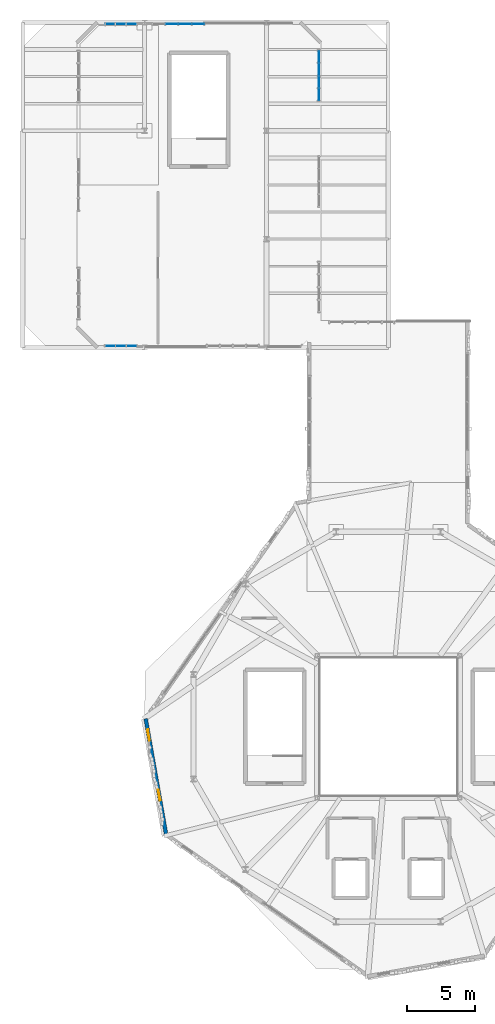
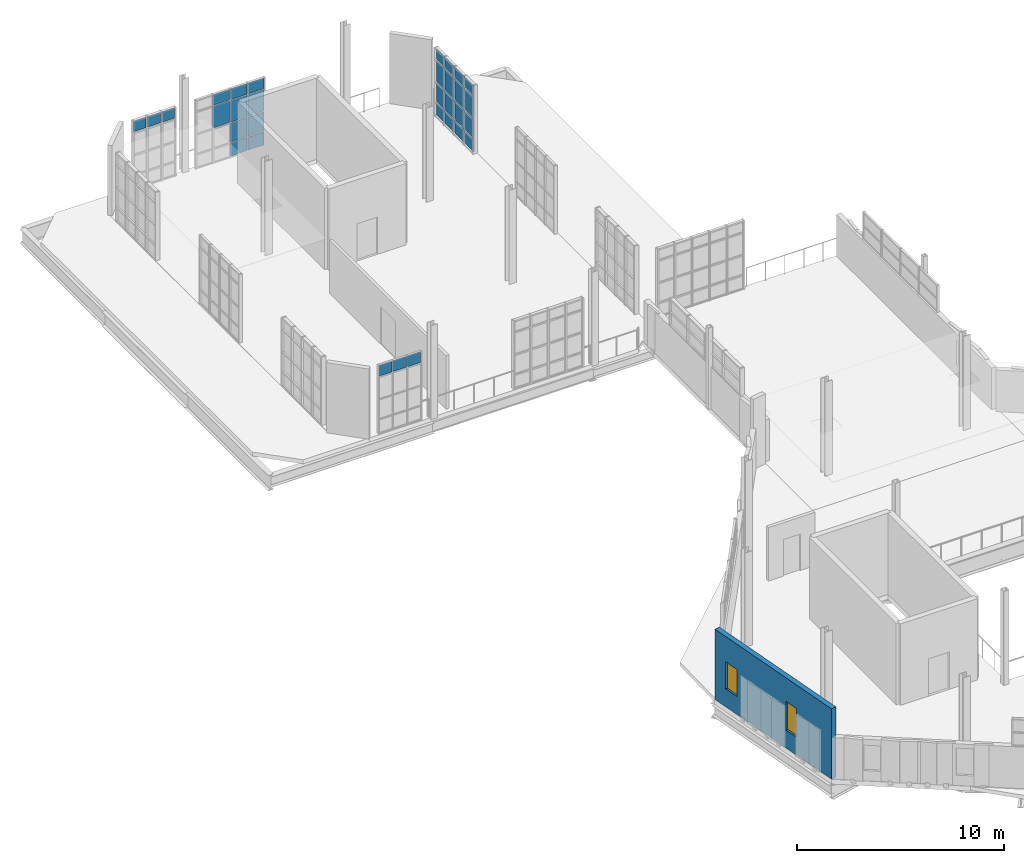
# One storey, part 31 of 36: 32 plates, 2 windows, 1 wall, 2 openings, 4 elements without a shape of their own.
"""IFC4 building model written with IfcOpenShell, lengths in metres."""

from ifc_helpers import new_model, si_unit, direction, frame, frame_2d, origin, origin_2d, place, context, subcontext, project, spatial, rectangle, extrude, material, layer, layer_set, type_object, element, fill, aggregate, save


model = new_model("IFC4")

# Units and contexts
model_context = context("Model", 3, precision=1e-05, world=origin(), true_north=direction((0.0, 1.0)))
body_context = subcontext(model_context, "Body", "Model", "MODEL_VIEW")
ifc_project = project(units=[si_unit("LENGTHUNIT", "METRE"), si_unit("AREAUNIT", "SQUARE_METRE"), si_unit("VOLUMEUNIT", "CUBIC_METRE"), si_unit("PLANEANGLEUNIT", "RADIAN"), si_unit("MASSUNIT", "GRAM", prefix="KILO"), si_unit("THERMODYNAMICTEMPERATUREUNIT", "KELVIN"), si_unit("POWERUNIT", "WATT")], contexts=[model_context])

# Site, building, storey
site_placement = place(None, origin())
site = spatial("IfcSite", under=ifc_project, at=site_placement, CompositionType="ELEMENT")
building_placement = place(site_placement, origin())
building = spatial("IfcBuilding", under=site, at=building_placement, Name="Zelmaris Science Centre", CompositionType="ELEMENT")
storey_placement = place(building_placement, frame((0.0, 0.0, 25.199951171875)))
storey = spatial("IfcBuildingStorey", under=building, at=storey_placement, Name="L05", CompositionType="ELEMENT", Elevation=25.199951171875)

# Curtain wall, plates
ifc_material_1 = material(Name="Anodised architectural aluminium 6063-T6", Category="aluminium")
ifc_layer_1 = layer(ifc_material_1, 0.18994140625, Name="Anodised architectural aluminium 6063-T6")
ifc_layer_set_1 = layer_set([ifc_layer_1], Name="Anodised architectural aluminium 6063-T6")
curtain_wall_type_1 = type_object("IfcCurtainWallType", Name="Curtain Wall CW-01", PredefinedType="USERDEFINED", material=ifc_layer_set_1)
curtain_wall_1_placement = place(storey_placement, origin())
curtain_wall_1 = element("IfcCurtainWall", 1, at=curtain_wall_1_placement, inside=storey, type_object=curtain_wall_type_1, Name="L05 Unitised curtain wall 361", ObjectType="GLAZED CURTAIN WALL", PredefinedType="USERDEFINED")
ifc_material_2 = material(Name="Laminated hurricane-rated low-E insulated glazing", Category="glass")
ifc_layer_2 = layer(ifc_material_2, 0.031982421875, Name="Laminated hurricane-rated low-E insulated glazing")
ifc_layer_set_2 = layer_set([ifc_layer_2], Name="Laminated hurricane-rated low-E insulated glazing")
plate_type_1 = type_object("IfcPlateType", Name="Curtain Glazing Panel CWP-1 32mm", PredefinedType="CURTAIN_PANEL", material=ifc_layer_set_2)
plate_1_placement = place(storey_placement, frame((75.87939453125, 85.47021484375, 0.05712890625), z_axis=(0.0, 0.0, 1.0), x_axis=(0.000396636499, -0.99999992134, 0.0)))
plate_1 = element("IfcPlate", 2, at=plate_1_placement, type_object=plate_type_1, Name="CW-01 panel 1.1", PredefinedType="CURTAIN_PANEL", context=body_context, shape_type="SweptSolid", body=[
    extrude(rectangle(XDim=0.83740234375, YDim=0.031982421875, at=origin_2d()), origin(), (0.0, 0.0, 1.0), 0.741943359375),
])
plate_2_placement = place(storey_placement, frame((75.87939453125, 85.47021484375, 0.87109375), z_axis=(0.0, 0.0, 1.0), x_axis=(0.000396636499, -0.99999992134, 0.0)))
plate_2 = element("IfcPlate", 3, at=plate_2_placement, type_object=plate_type_1, Name="CW-01 panel 1.2", PredefinedType="CURTAIN_PANEL", context=body_context, shape_type="SweptSolid", body=[
    extrude(rectangle(XDim=0.83740234375, YDim=0.031982421875, at=origin_2d()), origin(), (0.0, 0.0, 1.0), 1.10546875),
])
plate_3_placement = place(storey_placement, frame((75.87939453125, 85.47021484375, 2.04833984375), z_axis=(0.0, 0.0, 1.0), x_axis=(0.000396636499, -0.99999992134, 0.0)))
plate_3 = element("IfcPlate", 4, at=plate_3_placement, type_object=plate_type_1, Name="CW-01 panel 1.3", PredefinedType="CURTAIN_PANEL", context=body_context, shape_type="SweptSolid", body=[
    extrude(rectangle(XDim=0.83740234375, YDim=0.031982421875, at=origin_2d()), origin(), (0.0, 0.0, 1.0), 1.255615234375),
])
plate_4_placement = place(storey_placement, frame((75.87939453125, 85.47021484375, 3.3759765625), z_axis=(0.0, 0.0, 1.0), x_axis=(0.000396636499, -0.99999992134, 0.0)))
plate_4 = element("IfcPlate", 5, at=plate_4_placement, type_object=plate_type_1, Name="CW-01 panel 1.4", PredefinedType="CURTAIN_PANEL", context=body_context, shape_type="SweptSolid", body=[
    extrude(rectangle(XDim=0.83740234375, YDim=0.031982421875, at=origin_2d()), origin(), (0.0, 0.0, 1.0), 0.592041015625),
])
plate_5_placement = place(storey_placement, frame((75.8798828125, 84.542724609375, 0.05712890625), z_axis=(0.0, 0.0, 1.0), x_axis=(0.000396636499, -0.99999992134, 0.0)))
plate_5 = element("IfcPlate", 6, at=plate_5_placement, type_object=plate_type_1, Name="CW-01 panel 2.1", PredefinedType="CURTAIN_PANEL", context=body_context, shape_type="SweptSolid", body=[
    extrude(rectangle(XDim=0.87353515625, YDim=0.031982421875, at=origin_2d()), origin(), (0.0, 0.0, 1.0), 0.741943359375),
])
plate_6_placement = place(storey_placement, frame((75.8798828125, 84.542724609375, 0.87109375), z_axis=(0.0, 0.0, 1.0), x_axis=(0.000396636499, -0.99999992134, 0.0)))
plate_6 = element("IfcPlate", 7, at=plate_6_placement, type_object=plate_type_1, Name="CW-01 panel 2.2", PredefinedType="CURTAIN_PANEL", context=body_context, shape_type="SweptSolid", body=[
    extrude(rectangle(XDim=0.87353515625, YDim=0.031982421875, at=origin_2d()), origin(), (0.0, 0.0, 1.0), 1.10546875),
])
plate_7_placement = place(storey_placement, frame((75.8798828125, 84.542724609375, 2.04833984375), z_axis=(0.0, 0.0, 1.0), x_axis=(0.000396636499, -0.99999992134, 0.0)))
plate_7 = element("IfcPlate", 8, at=plate_7_placement, type_object=plate_type_1, Name="CW-01 panel 2.3", PredefinedType="CURTAIN_PANEL", context=body_context, shape_type="SweptSolid", body=[
    extrude(rectangle(XDim=0.87353515625, YDim=0.031982421875, at=origin_2d()), origin(), (0.0, 0.0, 1.0), 1.255615234375),
])
plate_8_placement = place(storey_placement, frame((75.8798828125, 84.542724609375, 3.3759765625), z_axis=(0.0, 0.0, 1.0), x_axis=(0.000396636499, -0.99999992134, 0.0)))
plate_8 = element("IfcPlate", 9, at=plate_8_placement, type_object=plate_type_1, Name="CW-01 panel 2.4", PredefinedType="CURTAIN_PANEL", context=body_context, shape_type="SweptSolid", body=[
    extrude(rectangle(XDim=0.87353515625, YDim=0.031982421875, at=origin_2d()), origin(), (0.0, 0.0, 1.0), 0.592041015625),
])
plate_9_placement = place(storey_placement, frame((75.880126953125, 83.597412109375, 0.05712890625), z_axis=(0.0, 0.0, 1.0), x_axis=(0.000396636499, -0.99999992134, 0.0)))
plate_9 = element("IfcPlate", 10, at=plate_9_placement, type_object=plate_type_1, Name="CW-01 panel 3.1", PredefinedType="CURTAIN_PANEL", context=body_context, shape_type="SweptSolid", body=[
    extrude(rectangle(XDim=0.87353515625, YDim=0.031982421875, at=origin_2d()), origin(), (0.0, 0.0, 1.0), 0.741943359375),
])
plate_10_placement = place(storey_placement, frame((75.880126953125, 83.597412109375, 0.87109375), z_axis=(0.0, 0.0, 1.0), x_axis=(0.000396636499, -0.99999992134, 0.0)))
plate_10 = element("IfcPlate", 11, at=plate_10_placement, type_object=plate_type_1, Name="CW-01 panel 3.2", PredefinedType="CURTAIN_PANEL", context=body_context, shape_type="SweptSolid", body=[
    extrude(rectangle(XDim=0.87353515625, YDim=0.031982421875, at=origin_2d()), origin(), (0.0, 0.0, 1.0), 1.10546875),
])
plate_11_placement = place(storey_placement, frame((75.880126953125, 83.597412109375, 2.04833984375), z_axis=(0.0, 0.0, 1.0), x_axis=(0.000396636499, -0.99999992134, 0.0)))
plate_11 = element("IfcPlate", 12, at=plate_11_placement, type_object=plate_type_1, Name="CW-01 panel 3.3", PredefinedType="CURTAIN_PANEL", context=body_context, shape_type="SweptSolid", body=[
    extrude(rectangle(XDim=0.87353515625, YDim=0.031982421875, at=origin_2d()), origin(), (0.0, 0.0, 1.0), 1.255615234375),
])
plate_12_placement = place(storey_placement, frame((75.880126953125, 83.597412109375, 3.3759765625), z_axis=(0.0, 0.0, 1.0), x_axis=(0.000396636499, -0.99999992134, 0.0)))
plate_12 = element("IfcPlate", 13, at=plate_12_placement, type_object=plate_type_1, Name="CW-01 panel 3.4", PredefinedType="CURTAIN_PANEL", context=body_context, shape_type="SweptSolid", body=[
    extrude(rectangle(XDim=0.87353515625, YDim=0.031982421875, at=origin_2d()), origin(), (0.0, 0.0, 1.0), 0.592041015625),
])
plate_13_placement = place(storey_placement, frame((75.880615234375, 82.669921875, 0.05712890625), z_axis=(0.0, 0.0, 1.0), x_axis=(0.000396636499, -0.99999992134, 0.0)))
plate_13 = element("IfcPlate", 14, at=plate_13_placement, type_object=plate_type_1, Name="CW-01 panel 4.1", PredefinedType="CURTAIN_PANEL", context=body_context, shape_type="SweptSolid", body=[
    extrude(rectangle(XDim=0.83740234375, YDim=0.031982421875, at=origin_2d()), origin(), (0.0, 0.0, 1.0), 0.741943359375),
])
plate_14_placement = place(storey_placement, frame((75.880615234375, 82.669921875, 0.87109375), z_axis=(0.0, 0.0, 1.0), x_axis=(0.000396636499, -0.99999992134, 0.0)))
plate_14 = element("IfcPlate", 15, at=plate_14_placement, type_object=plate_type_1, Name="CW-01 panel 4.2", PredefinedType="CURTAIN_PANEL", context=body_context, shape_type="SweptSolid", body=[
    extrude(rectangle(XDim=0.83740234375, YDim=0.031982421875, at=origin_2d()), origin(), (0.0, 0.0, 1.0), 1.10546875),
])
plate_15_placement = place(storey_placement, frame((75.880615234375, 82.669921875, 2.04833984375), z_axis=(0.0, 0.0, 1.0), x_axis=(0.000396636499, -0.99999992134, 0.0)))
plate_15 = element("IfcPlate", 16, at=plate_15_placement, type_object=plate_type_1, Name="CW-01 panel 4.3", PredefinedType="CURTAIN_PANEL", context=body_context, shape_type="SweptSolid", body=[
    extrude(rectangle(XDim=0.83740234375, YDim=0.031982421875, at=origin_2d()), origin(), (0.0, 0.0, 1.0), 1.255615234375),
])
plate_16_placement = place(storey_placement, frame((75.880615234375, 82.669921875, 3.3759765625), z_axis=(0.0, 0.0, 1.0), x_axis=(0.000396636499, -0.99999992134, 0.0)))
plate_16 = element("IfcPlate", 17, at=plate_16_placement, type_object=plate_type_1, Name="CW-01 panel 4.4", PredefinedType="CURTAIN_PANEL", context=body_context, shape_type="SweptSolid", body=[
    extrude(rectangle(XDim=0.83740234375, YDim=0.031982421875, at=origin_2d()), origin(), (0.0, 0.0, 1.0), 0.592041015625),
])
aggregate(curtain_wall_1, [plate_1, plate_2, plate_3, plate_4, plate_5, plate_6, plate_7, plate_8, plate_9, plate_10, plate_11, plate_12, plate_13, plate_14, plate_15, plate_16])

ifc_layer_3 = layer(ifc_material_1, 0.199951171875, Name="Anodised architectural aluminium 6063-T6")
ifc_layer_set_3 = layer_set([ifc_layer_3], Name="Anodised architectural aluminium 6063-T6")
curtain_wall_type_2 = type_object("IfcCurtainWallType", Name="Curtain Wall CW-02", PredefinedType="USERDEFINED", material=ifc_layer_set_3)
curtain_wall_2_placement = place(storey_placement, origin())
curtain_wall_2 = element("IfcCurtainWall", 18, at=curtain_wall_2_placement, inside=storey, type_object=curtain_wall_type_2, Name="L05 Unitised curtain wall 358", ObjectType="GLAZED CURTAIN WALL", PredefinedType="USERDEFINED")
ifc_layer_4 = layer(ifc_material_2, 0.028076171875, Name="Laminated hurricane-rated low-E insulated glazing")
ifc_layer_set_4 = layer_set([ifc_layer_4], Name="Laminated hurricane-rated low-E insulated glazing")
plate_type_2 = type_object("IfcPlateType", Name="Curtain Glazing Panel CWP-2 28mm", PredefinedType="CURTAIN_PANEL", material=ifc_layer_set_4)
plate_17_placement = place(storey_placement, frame((60.46142578125, 87.8798828125, 3.37353515625), z_axis=(0.0, 0.0, 1.0), x_axis=(1.0, 0.0, 0.0)))
plate_17 = element("IfcPlate", 19, at=plate_17_placement, type_object=plate_type_2, Name="CW-02 panel 1.4", PredefinedType="CURTAIN_PANEL", context=body_context, shape_type="SweptSolid", body=[
    extrude(rectangle(XDim=0.70556640625, YDim=0.028076171875, at=origin_2d()), origin(), (0.0, 0.0, 1.0), 0.599609375),
])
plate_18_placement = place(storey_placement, frame((61.250732421875, 87.8798828125, 3.37353515625), z_axis=(0.0, 0.0, 1.0), x_axis=(1.0, 0.0, 0.0)))
plate_18 = element("IfcPlate", 20, at=plate_18_placement, type_object=plate_type_2, Name="CW-02 panel 2.4", PredefinedType="CURTAIN_PANEL", context=body_context, shape_type="SweptSolid", body=[
    extrude(rectangle(XDim=0.7392578125, YDim=0.028076171875, at=origin_2d()), origin(), (0.0, 0.0, 1.0), 0.599609375),
])
plate_19_placement = place(storey_placement, frame((62.040283203125, 87.8798828125, 3.37353515625), z_axis=(0.0, 0.0, 1.0), x_axis=(1.0, 0.0, 0.0)))
plate_19 = element("IfcPlate", 21, at=plate_19_placement, type_object=plate_type_2, Name="CW-02 panel 3.4", PredefinedType="CURTAIN_PANEL", context=body_context, shape_type="SweptSolid", body=[
    extrude(rectangle(XDim=0.70556640625, YDim=0.028076171875, at=origin_2d()), origin(), (0.0, 0.0, 1.0), 0.599609375),
])
aggregate(curtain_wall_2, [plate_17, plate_18, plate_19])

ifc_layer_5 = layer(ifc_material_1, 0.2099609375, Name="Anodised architectural aluminium 6063-T6")
ifc_layer_set_5 = layer_set([ifc_layer_5], Name="Anodised architectural aluminium 6063-T6")
curtain_wall_type_3 = type_object("IfcCurtainWallType", Name="Curtain Wall CW-03", PredefinedType="USERDEFINED", material=ifc_layer_set_5)
curtain_wall_3_placement = place(storey_placement, origin())
curtain_wall_3 = element("IfcCurtainWall", 22, at=curtain_wall_3_placement, inside=storey, type_object=curtain_wall_type_3, Name="L05 Unitised curtain wall 359", ObjectType="GLAZED CURTAIN WALL", PredefinedType="USERDEFINED")
ifc_layer_6 = layer(ifc_material_2, 0.02587890625, Name="Laminated hurricane-rated low-E insulated glazing")
ifc_layer_set_6 = layer_set([ifc_layer_6], Name="Laminated hurricane-rated low-E insulated glazing")
plate_type_3 = type_object("IfcPlateType", Name="Curtain Glazing Panel CWP-3 26mm", PredefinedType="CURTAIN_PANEL", material=ifc_layer_set_6)
plate_20_placement = place(storey_placement, frame((65.00244140625, 87.8798828125, 2.041015625), z_axis=(0.0, 0.0, 1.0), x_axis=(1.0, 0.0, 0.0)))
plate_20 = element("IfcPlate", 23, at=plate_20_placement, type_object=plate_type_3, Name="CW-03 panel 2.3", PredefinedType="CURTAIN_PANEL", context=body_context, shape_type="SweptSolid", body=[
    extrude(rectangle(XDim=0.91796875, YDim=0.02587890625, at=origin_2d()), origin(), (0.0, 0.0, 1.0), 1.2705078125),
])
plate_21_placement = place(storey_placement, frame((65.00244140625, 87.8798828125, 3.36865234375), z_axis=(0.0, 0.0, 1.0), x_axis=(1.0, 0.0, 0.0)))
plate_21 = element("IfcPlate", 24, at=plate_21_placement, type_object=plate_type_3, Name="CW-03 panel 2.4", PredefinedType="CURTAIN_PANEL", context=body_context, shape_type="SweptSolid", body=[
    extrude(rectangle(XDim=0.91796875, YDim=0.02587890625, at=origin_2d()), origin(), (0.0, 0.0, 1.0), 0.614501953125),
])
plate_22_placement = place(storey_placement, frame((65.9775390625, 87.8798828125, 0.0419921875), z_axis=(0.0, 0.0, 1.0), x_axis=(1.0, 0.0, 0.0)))
plate_22 = element("IfcPlate", 25, at=plate_22_placement, type_object=plate_type_3, Name="CW-03 panel 3.1", PredefinedType="CURTAIN_PANEL", context=body_context, shape_type="SweptSolid", body=[
    extrude(rectangle(XDim=0.91796875, YDim=0.02587890625, at=origin_2d()), origin(), (0.0, 0.0, 1.0), 0.764404296875),
])
plate_23_placement = place(storey_placement, frame((65.9775390625, 87.8798828125, 0.863525390625), z_axis=(0.0, 0.0, 1.0), x_axis=(1.0, 0.0, 0.0)))
plate_23 = element("IfcPlate", 26, at=plate_23_placement, type_object=plate_type_3, Name="CW-03 panel 3.2", PredefinedType="CURTAIN_PANEL", context=body_context, shape_type="SweptSolid", body=[
    extrude(rectangle(XDim=0.91796875, YDim=0.02587890625, at=origin_2d()), origin(), (0.0, 0.0, 1.0), 1.12060546875),
])
plate_24_placement = place(storey_placement, frame((65.9775390625, 87.8798828125, 2.041015625), z_axis=(0.0, 0.0, 1.0), x_axis=(1.0, 0.0, 0.0)))
plate_24 = element("IfcPlate", 27, at=plate_24_placement, type_object=plate_type_3, Name="CW-03 panel 3.3", PredefinedType="CURTAIN_PANEL", context=body_context, shape_type="SweptSolid", body=[
    extrude(rectangle(XDim=0.91796875, YDim=0.02587890625, at=origin_2d()), origin(), (0.0, 0.0, 1.0), 1.2705078125),
])
plate_25_placement = place(storey_placement, frame((65.9775390625, 87.8798828125, 3.36865234375), z_axis=(0.0, 0.0, 1.0), x_axis=(1.0, 0.0, 0.0)))
plate_25 = element("IfcPlate", 28, at=plate_25_placement, type_object=plate_type_3, Name="CW-03 panel 3.4", PredefinedType="CURTAIN_PANEL", context=body_context, shape_type="SweptSolid", body=[
    extrude(rectangle(XDim=0.91796875, YDim=0.02587890625, at=origin_2d()), origin(), (0.0, 0.0, 1.0), 0.614501953125),
])
plate_26_placement = place(storey_placement, frame((66.938232421875, 87.8798828125, 0.0419921875), z_axis=(0.0, 0.0, 1.0), x_axis=(1.0, 0.0, 0.0)))
plate_26 = element("IfcPlate", 29, at=plate_26_placement, type_object=plate_type_3, Name="CW-03 panel 4.1", PredefinedType="CURTAIN_PANEL", context=body_context, shape_type="SweptSolid", body=[
    extrude(rectangle(XDim=0.889404296875, YDim=0.02587890625, at=origin_2d()), origin(), (0.0, 0.0, 1.0), 0.764404296875),
])
plate_27_placement = place(storey_placement, frame((66.938232421875, 87.8798828125, 0.863525390625), z_axis=(0.0, 0.0, 1.0), x_axis=(1.0, 0.0, 0.0)))
plate_27 = element("IfcPlate", 30, at=plate_27_placement, type_object=plate_type_3, Name="CW-03 panel 4.2", PredefinedType="CURTAIN_PANEL", context=body_context, shape_type="SweptSolid", body=[
    extrude(rectangle(XDim=0.889404296875, YDim=0.02587890625, at=origin_2d()), origin(), (0.0, 0.0, 1.0), 1.12060546875),
])
plate_28_placement = place(storey_placement, frame((66.938232421875, 87.8798828125, 2.041015625), z_axis=(0.0, 0.0, 1.0), x_axis=(1.0, 0.0, 0.0)))
plate_28 = element("IfcPlate", 31, at=plate_28_placement, type_object=plate_type_3, Name="CW-03 panel 4.3", PredefinedType="CURTAIN_PANEL", context=body_context, shape_type="SweptSolid", body=[
    extrude(rectangle(XDim=0.889404296875, YDim=0.02587890625, at=origin_2d()), origin(), (0.0, 0.0, 1.0), 1.2705078125),
])
plate_29_placement = place(storey_placement, frame((66.938232421875, 87.8798828125, 3.36865234375), z_axis=(0.0, 0.0, 1.0), x_axis=(1.0, 0.0, 0.0)))
plate_29 = element("IfcPlate", 32, at=plate_29_placement, type_object=plate_type_3, Name="CW-03 panel 4.4", PredefinedType="CURTAIN_PANEL", context=body_context, shape_type="SweptSolid", body=[
    extrude(rectangle(XDim=0.889404296875, YDim=0.02587890625, at=origin_2d()), origin(), (0.0, 0.0, 1.0), 0.614501953125),
])
aggregate(curtain_wall_3, [plate_20, plate_21, plate_22, plate_23, plate_24, plate_25, plate_26, plate_27, plate_28, plate_29])

ifc_layer_7 = layer(ifc_material_1, 0.219970703125, Name="Anodised architectural aluminium 6063-T6")
ifc_layer_set_7 = layer_set([ifc_layer_7], Name="Anodised architectural aluminium 6063-T6")
curtain_wall_type_4 = type_object("IfcCurtainWallType", Name="Curtain Wall CW-04", PredefinedType="USERDEFINED", material=ifc_layer_set_7)
curtain_wall_4_placement = place(storey_placement, origin())
curtain_wall_4 = element("IfcCurtainWall", 33, at=curtain_wall_4_placement, inside=storey, type_object=curtain_wall_type_4, Name="L05 Unitised curtain wall 376", ObjectType="GLAZED CURTAIN WALL", PredefinedType="USERDEFINED")
ifc_layer_8 = layer(ifc_material_2, 0.02392578125, Name="Laminated hurricane-rated low-E insulated glazing")
ifc_layer_set_8 = layer_set([ifc_layer_8], Name="Laminated hurricane-rated low-E insulated glazing")
plate_type_4 = type_object("IfcPlateType", Name="Curtain Glazing Panel CWP-4 24mm", PredefinedType="CURTAIN_PANEL", material=ifc_layer_set_8)
plate_30_placement = place(storey_placement, frame((62.043701171875, 64.1201171875, 3.365966796875), z_axis=(0.0, 0.0, 1.0), x_axis=(-1.0, 0.0, 0.0)))
plate_30 = element("IfcPlate", 34, at=plate_30_placement, type_object=plate_type_4, Name="CW-04 panel 1.4", PredefinedType="CURTAIN_PANEL", context=body_context, shape_type="SweptSolid", body=[
    extrude(rectangle(XDim=0.728759765625, YDim=0.02392578125, at=origin_2d()), origin(), (0.0, 0.0, 1.0), 0.6220703125),
])
plate_31_placement = place(storey_placement, frame((61.25, 64.1201171875, 3.365966796875), z_axis=(0.0, 0.0, 1.0), x_axis=(-1.0, 0.0, 0.0)))
plate_31 = element("IfcPlate", 35, at=plate_31_placement, type_object=plate_type_4, Name="CW-04 panel 2.4", PredefinedType="CURTAIN_PANEL", context=body_context, shape_type="SweptSolid", body=[
    extrude(rectangle(XDim=0.754638671875, YDim=0.02392578125, at=origin_2d()), origin(), (0.0, 0.0, 1.0), 0.6220703125),
])
plate_32_placement = place(storey_placement, frame((60.456298828125, 64.1201171875, 3.365966796875), z_axis=(0.0, 0.0, 1.0), x_axis=(-1.0, 0.0, 0.0)))
plate_32 = element("IfcPlate", 36, at=plate_32_placement, type_object=plate_type_4, Name="CW-04 panel 3.4", PredefinedType="CURTAIN_PANEL", context=body_context, shape_type="SweptSolid", body=[
    extrude(rectangle(XDim=0.728759765625, YDim=0.02392578125, at=origin_2d()), origin(), (0.0, 0.0, 1.0), 0.6220703125),
])
aggregate(curtain_wall_4, [plate_30, plate_31, plate_32])

# Wall, openings, windows
ifc_material_3 = material(Name="Precast concrete C40/50", Category="concrete")
ifc_layer_9 = layer(ifc_material_3, 0.280029296875, Name="Precast concrete C40/50")
ifc_layer_set_9 = layer_set([ifc_layer_9], Name="Precast concrete C40/50")
wall_type = type_object("IfcWallType", Name="Exterior Wall EW-05 280mm", PredefinedType="SOLIDWALL", material=ifc_layer_set_9)
wall_placement = place(storey_placement, frame((64.600341796875, 27.960205078125, 0.0), z_axis=(0.0, 0.0, 1.0), x_axis=(-0.173639194339, 0.984809336973, 0.0)))
wall = element("IfcWall", 37, at=wall_placement, inside=storey, type_object=wall_type, Name="L05 Exterior wall 160", PredefinedType="SOLIDWALL", context=body_context, shape_type="SweptSolid", body=[
    extrude(rectangle(XDim=8.76806640625, YDim=0.280029296875, at=frame_2d((4.384033203125, 0.0))), origin(), (0.0, 0.0, 1.0), 4.14013671875),
])
opening_1_placement = place(wall_placement, frame((2.634033203125, 0.0, 1.050048828125)))
opening_1 = element("IfcOpeningElement", 38, at=opening_1_placement, cuts=wall, Name="Opening W-TR2", PredefinedType="OPENING", context=body_context, shape_type="SweptSolid", body=[
    extrude(rectangle(XDim=0.800048828125, YDim=1.699951171875, at=frame_2d((0.39990234375, 0.85009765625))), frame((0.0, 0.14990234375, 0.0), z_axis=(0.0, -1.0, 0.0), x_axis=(1.0, 0.0, 0.0)), (0.0, 0.0, 1.0), 0.300048828125),
])
opening_2_placement = place(wall_placement, frame((7.10888671875, 0.0, 1.050048828125)))
opening_2 = element("IfcOpeningElement", 39, at=opening_2_placement, cuts=wall, Name="Opening W-TR3", PredefinedType="OPENING", context=body_context, shape_type="SweptSolid", body=[
    extrude(rectangle(XDim=0.85009765625, YDim=1.60009765625, at=frame_2d((0.425048828125, 0.800048828125))), frame((0.0, 0.14990234375, 0.0), z_axis=(0.0, -1.0, 0.0), x_axis=(1.0, 0.0, 0.0)), (0.0, 0.0, 1.0), 0.300048828125),
])
window_type_1 = type_object("IfcWindowType", Name="Window W-TR2 800x1700", PartitioningType="SINGLE_PANEL", PredefinedType="WINDOW", material=ifc_material_2)
window_1_placement = place(opening_1_placement, origin())
window_1 = element("IfcWindow", 40, at=window_1_placement, inside=storey, type_object=window_type_1, Name="L05 Triangular faceted window 116", OverallHeight=1.699951171875, OverallWidth=0.800048828125, PartitioningType="SINGLE_PANEL", PredefinedType="WINDOW", context=body_context, shape_type="SweptSolid", body=[
    extrude(rectangle(XDim=0.800048828125, YDim=1.699951171875, at=frame_2d((0.39990234375, 0.85009765625))), frame((0.0, 0.030029296875, 0.0), z_axis=(0.0, -1.0, 0.0), x_axis=(1.0, 0.0, 0.0)), (0.0, 0.0, 1.0), 0.06005859375),
])
fill(opening_1, window_1)
window_type_2 = type_object("IfcWindowType", Name="Window W-TR3 850x1600", PartitioningType="SINGLE_PANEL", PredefinedType="WINDOW", material=ifc_material_2)
window_2_placement = place(opening_2_placement, origin())
window_2 = element("IfcWindow", 41, at=window_2_placement, inside=storey, type_object=window_type_2, Name="L05 Triangular faceted window 117", OverallHeight=1.60009765625, OverallWidth=0.85009765625, PartitioningType="SINGLE_PANEL", PredefinedType="WINDOW", context=body_context, shape_type="SweptSolid", body=[
    extrude(rectangle(XDim=0.85009765625, YDim=1.60009765625, at=frame_2d((0.425048828125, 0.800048828125))), frame((0.0, 0.030029296875, 0.0), z_axis=(0.0, -1.0, 0.0), x_axis=(1.0, 0.0, 0.0)), (0.0, 0.0, 1.0), 0.06005859375),
])
fill(opening_2, window_2)

save(model, "model.ifc")
